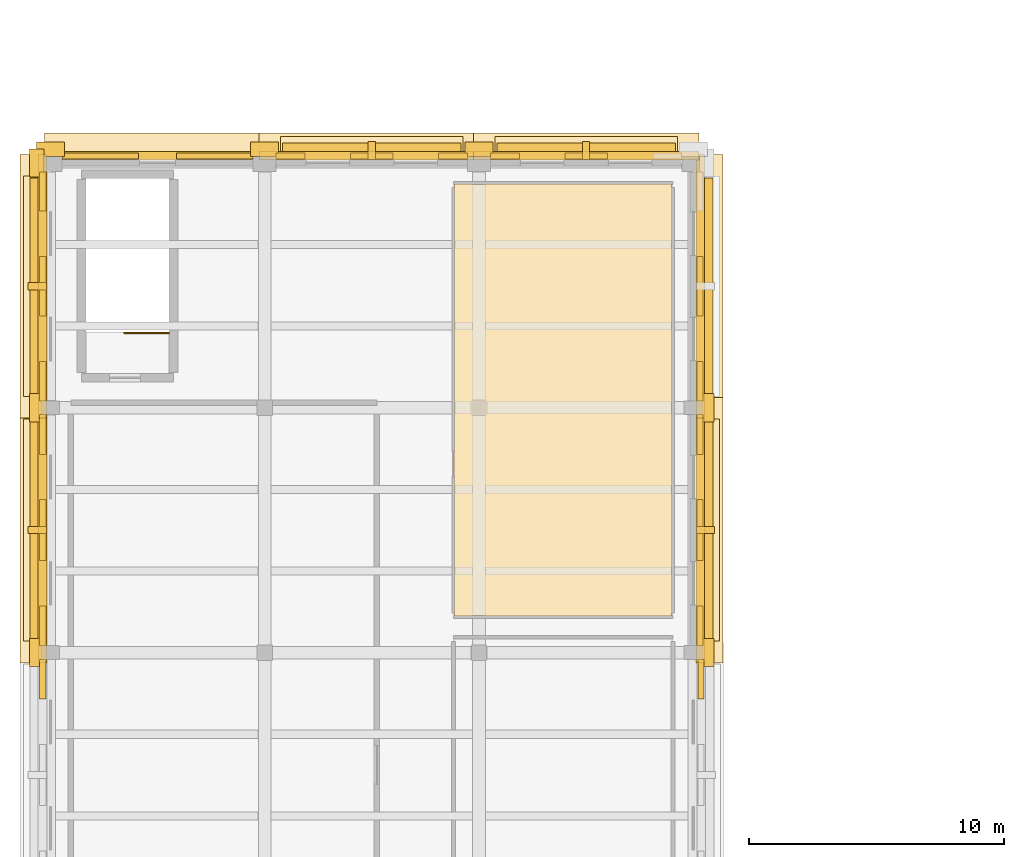
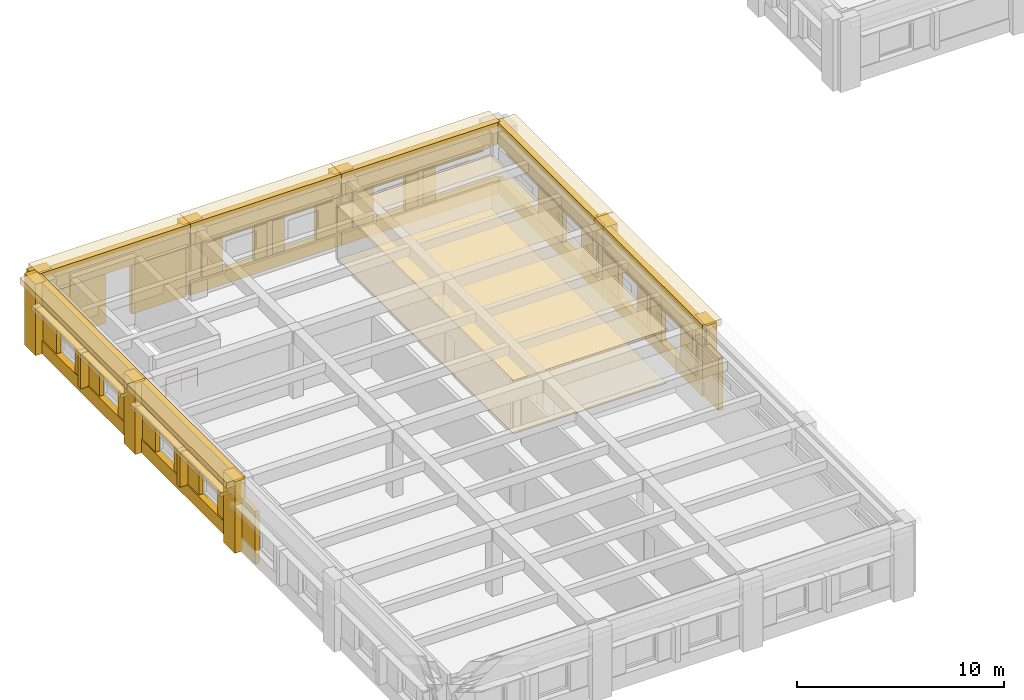
# One storey, part 13 of 17: 60 coverings, 6 shading devices, 1 railing.
"""IFC4 building model written with IfcOpenShell, lengths in metres."""

from ifc_helpers import new_model, si_unit, direction, frame, origin, origin_2d, place, context, subcontext, project, spatial, polyline, rectangle, circle, outline, extrude, material, layer, layer_set, type_object, element, save


model = new_model("IFC4")

# Units and contexts
model_context = context("Model", 3, precision=1e-05, world=origin(), true_north=direction((0.0, 1.0)))
body_context = subcontext(model_context, "Body", "Model", "MODEL_VIEW")
ifc_project = project(units=[si_unit("LENGTHUNIT", "METRE"), si_unit("AREAUNIT", "SQUARE_METRE"), si_unit("VOLUMEUNIT", "CUBIC_METRE"), si_unit("PLANEANGLEUNIT", "RADIAN"), si_unit("MASSUNIT", "GRAM", prefix="KILO")], contexts=[model_context])

# Site, building, storey
site_placement = place(None, origin())
site = spatial("IfcSite", under=ifc_project, at=site_placement, CompositionType="ELEMENT")
building_placement = place(site_placement, origin())
building = spatial("IfcBuilding", under=site, at=building_placement, Name="Bempovik Park Faculty of Sciences", CompositionType="ELEMENT")
storey_placement = place(building_placement, frame((0.0, 0.0, 22.5)))
storey = spatial("IfcBuildingStorey", under=building, at=storey_placement, Name="L05", CompositionType="ELEMENT", Elevation=22.5)

# Coverings
ifc_material_1 = material(Name="Acoustic mineral ceiling tile")
ifc_layer_1 = layer(ifc_material_1, 0.0400390625)
ifc_layer_set_1 = layer_set([ifc_layer_1], Name="Acoustic mineral ceiling tile")
covering_type_1 = type_object("IfcCoveringType", Name="CE-01 Acoustic Ceiling 40mm", PredefinedType="CEILING", material=ifc_layer_set_1)
covering_1_placement = place(storey_placement, frame((0.0, 0.0, 3.110107421875)))
element("IfcCovering", 1, at=covering_1_placement, inside=storey, type_object=covering_type_1, Name="L05 West Wing Principal Investigator Offices Acoustic Ceiling", PredefinedType="CEILING", context=body_context, shape_type="SweptSolid", body=[
    extrude(outline(polyline([(31.429931640625, 69.22998046875), (39.969970703125, 69.22998046875), (39.969970703125, 86.169921875), (31.429931640625, 86.169921875), (31.429931640625, 69.22998046875)])), origin(), (0.0, 0.0, 1.0), 0.039794921875),
])
ifc_material_2 = material(Name="Precast concrete C40/50", Category="concrete")
ifc_layer_2 = layer(ifc_material_2, 0.179931640625)
ifc_layer_set_2 = layer_set([ifc_layer_2], Name="Precast concrete C40/50")
covering_type_2 = type_object("IfcCoveringType", Name="CL-02 Classical Cornice Band 180mm", PredefinedType="CLADDING", material=ifc_layer_set_2)
covering_2_placement = place(storey_placement, frame((14.93505859375, 72.60009765625, 3.83984375), z_axis=(0.0, 0.0, 1.0), x_axis=(1.0, 0.0, 0.0)))
element("IfcCovering", 2, at=covering_2_placement, inside=storey, type_object=covering_type_2, Name="L05 Classical Projecting Dentil Cornice EW-L05-9939", PredefinedType="CLADDING", context=body_context, shape_type="SweptSolid", body=[
    extrude(rectangle(XDim=1.050048828125, YDim=10.406005859375, at=origin_2d()), origin(), (0.0, 0.0, 1.0), 0.360107421875),
])
covering_3_placement = place(storey_placement, frame((15.0, 72.60009765625, 2.81005859375), z_axis=(0.0, 0.0, 1.0), x_axis=(1.0, 0.0, 0.0)))
element("IfcCovering", 3, at=covering_3_placement, inside=storey, type_object=covering_type_2, Name="L05 Classical Stone Solar Window Hood EW-L05-9939", PredefinedType="CLADDING", context=body_context, shape_type="SweptSolid", body=[
    extrude(rectangle(XDim=0.919921875, YDim=8.7060546875, at=origin_2d()), origin(), (0.0, 0.0, 1.0), 0.219970703125),
])
covering_4_placement = place(storey_placement, frame((14.93505859375, 82.159912109375, 3.83984375), z_axis=(0.0, 0.0, 1.0), x_axis=(1.0, 0.0, 0.0)))
element("IfcCovering", 4, at=covering_4_placement, inside=storey, type_object=covering_type_2, Name="L05 Classical Projecting Dentil Cornice EW-L05-9952", PredefinedType="CLADDING", context=body_context, shape_type="SweptSolid", body=[
    extrude(rectangle(XDim=1.050048828125, YDim=10.325927734375, at=origin_2d()), origin(), (0.0, 0.0, 1.0), 0.360107421875),
])
covering_5_placement = place(storey_placement, frame((15.0, 82.159912109375, 2.81005859375), z_axis=(0.0, 0.0, 1.0), x_axis=(1.0, 0.0, 0.0)))
element("IfcCovering", 5, at=covering_5_placement, inside=storey, type_object=covering_type_2, Name="L05 Classical Stone Solar Window Hood EW-L05-9952", PredefinedType="CLADDING", context=body_context, shape_type="SweptSolid", body=[
    extrude(rectangle(XDim=0.919921875, YDim=8.6259765625, at=origin_2d()), origin(), (0.0, 0.0, 1.0), 0.219970703125),
])
for number, where, z_axis, x_axis, name in (
    (6, (19.800048828125, 87.635009765625, 3.83984375), (0.0, 0.0, 1.0), (1.0, 0.0, 0.0), "L05 Classical Projecting Dentil Cornice EW-L05-9965"),
    (7, (28.199951171875, 87.635009765625, 3.83984375), (0.0, 0.0, 1.0), (1.0, 0.0, 0.0), "L05 Classical Projecting Dentil Cornice EW-L05-9973"),
):
    element("IfcCovering", number, at=place(storey_placement, frame(where, z_axis=z_axis, x_axis=x_axis)), inside=storey, type_object=covering_type_2, Name=name, PredefinedType="CLADDING", context=body_context, shape_type="SweptSolid", body=[
        extrude(rectangle(XDim=8.845947265625, YDim=1.050048828125, at=origin_2d()), origin(), (0.0, 0.0, 1.0), 0.360107421875),
    ])
covering_6_placement = place(storey_placement, frame((28.199951171875, 87.570068359375, 2.81005859375), z_axis=(0.0, 0.0, 1.0), x_axis=(1.0, 0.0, 0.0)))
element("IfcCovering", 8, at=covering_6_placement, inside=storey, type_object=covering_type_2, Name="L05 Classical Stone Solar Window Hood EW-L05-9973", PredefinedType="CLADDING", context=body_context, shape_type="SweptSolid", body=[
    extrude(rectangle(XDim=7.14599609375, YDim=0.919921875, at=origin_2d()), origin(), (0.0, 0.0, 1.0), 0.219970703125),
])
covering_7_placement = place(storey_placement, frame((36.60009765625, 87.635009765625, 3.83984375), z_axis=(0.0, 0.0, 1.0), x_axis=(1.0, 0.0, 0.0)))
element("IfcCovering", 9, at=covering_7_placement, inside=storey, type_object=covering_type_2, Name="L05 Classical Projecting Dentil Cornice EW-L05-9986", PredefinedType="CLADDING", context=body_context, shape_type="SweptSolid", body=[
    extrude(rectangle(XDim=8.845947265625, YDim=1.050048828125, at=origin_2d()), origin(), (0.0, 0.0, 1.0), 0.360107421875),
])
covering_8_placement = place(storey_placement, frame((36.60009765625, 87.570068359375, 2.81005859375), z_axis=(0.0, 0.0, 1.0), x_axis=(1.0, 0.0, 0.0)))
element("IfcCovering", 10, at=covering_8_placement, inside=storey, type_object=covering_type_2, Name="L05 Classical Stone Solar Window Hood EW-L05-9986", PredefinedType="CLADDING", context=body_context, shape_type="SweptSolid", body=[
    extrude(rectangle(XDim=7.14599609375, YDim=0.919921875, at=origin_2d()), origin(), (0.0, 0.0, 1.0), 0.219970703125),
])
covering_9_placement = place(storey_placement, frame((41.43505859375, 72.60009765625, 3.83984375), z_axis=(0.0, 0.0, 1.0), x_axis=(1.0, 0.0, 0.0)))
element("IfcCovering", 11, at=covering_9_placement, inside=storey, type_object=covering_type_2, Name="L05 Classical Projecting Dentil Cornice EW-L05-10026", PredefinedType="CLADDING", context=body_context, shape_type="SweptSolid", body=[
    extrude(rectangle(XDim=1.050048828125, YDim=10.406005859375, at=origin_2d()), origin(), (0.0, 0.0, 1.0), 0.360107421875),
])
covering_10_placement = place(storey_placement, frame((41.3701171875, 72.60009765625, 2.81005859375), z_axis=(0.0, 0.0, 1.0), x_axis=(1.0, 0.0, 0.0)))
element("IfcCovering", 12, at=covering_10_placement, inside=storey, type_object=covering_type_2, Name="L05 Classical Stone Solar Window Hood EW-L05-10026", PredefinedType="CLADDING", context=body_context, shape_type="SweptSolid", body=[
    extrude(rectangle(XDim=0.919921875, YDim=8.7060546875, at=origin_2d()), origin(), (0.0, 0.0, 1.0), 0.219970703125),
])
covering_11_placement = place(storey_placement, frame((41.43505859375, 82.159912109375, 3.83984375), z_axis=(0.0, 0.0, 1.0), x_axis=(1.0, 0.0, 0.0)))
element("IfcCovering", 13, at=covering_11_placement, inside=storey, type_object=covering_type_2, Name="L05 Classical Projecting Dentil Cornice EW-L05-10039", PredefinedType="CLADDING", context=body_context, shape_type="SweptSolid", body=[
    extrude(rectangle(XDim=1.050048828125, YDim=10.325927734375, at=origin_2d()), origin(), (0.0, 0.0, 1.0), 0.360107421875),
])
ifc_material_3 = material(Name="White reconstituted limestone precast C40/50", Category="masonry")
ifc_layer_3 = layer(ifc_material_3, 0.239990234375)
ifc_layer_set_3 = layer_set([ifc_layer_3], Name="White reconstituted limestone precast C40/50")
covering_type_3 = type_object("IfcCoveringType", Name="CL-03 Classical Fluted Limestone Pilaster 240mm", PredefinedType="CLADDING", material=ifc_layer_set_3)
covering_12_placement = place(storey_placement, frame((15.070068359375, 67.800048828125, 0.0), z_axis=(0.0, 0.0, 1.0), x_axis=(1.0, 0.0, 0.0)))
element("IfcCovering", 14, at=covering_12_placement, inside=storey, type_object=covering_type_3, Name="L05 Classical Fluted Stone Pilaster PIL-BA-L05-151-678", PredefinedType="CLADDING", context=body_context, shape_type="SweptSolid", body=[
    extrude(rectangle(XDim=0.580078125, YDim=1.10009765625, at=origin_2d()), origin(), (0.0, 0.0, 1.0), 4.199951171875),
])
covering_13_placement = place(storey_placement, frame((15.300048828125, 66.75048828125, 0.0), z_axis=(0.0, 0.0, 1.0), x_axis=(1.0, 0.0, 0.0)))
element("IfcCovering", 15, at=covering_13_placement, inside=storey, type_object=covering_type_3, Name="L05 White Limestone Wall Cheek EW-L05-9926-4", PredefinedType="CLADDING", context=body_context, shape_type="SweptSolid", body=[
    extrude(rectangle(XDim=0.239990234375, YDim=1.55517578125, at=origin_2d()), origin(), (0.0, 0.0, 1.0), 3.080078125),
])
covering_14_placement = place(storey_placement, frame((15.2900390625, 72.60009765625, 2.919921875), z_axis=(0.0, 0.0, 1.0), x_axis=(1.0, 0.0, 0.0)))
element("IfcCovering", 16, at=covering_14_placement, inside=storey, type_object=covering_type_3, Name="L05 Classical Limestone Spandrel Entablature EW-L05-9939", PredefinedType="CLADDING", context=body_context, shape_type="SweptSolid", body=[
    extrude(rectangle(XDim=0.340087890625, YDim=10.406005859375, at=origin_2d()), origin(), (0.0, 0.0, 1.0), 1.280029296875),
])
covering_15_placement = place(storey_placement, frame((15.2900390625, 72.60009765625, 0.0), z_axis=(0.0, 0.0, 1.0), x_axis=(1.0, 0.0, 0.0)))
element("IfcCovering", 17, at=covering_15_placement, inside=storey, type_object=covering_type_3, Name="L05 Classical Limestone Sill Dado EW-L05-9939", PredefinedType="CLADDING", context=body_context, shape_type="SweptSolid", body=[
    extrude(rectangle(XDim=0.340087890625, YDim=10.406005859375, at=origin_2d()), origin(), (0.0, 0.0, 1.0), 0.780029296875),
])
covering_16_placement = place(storey_placement, frame((15.070068359375, 77.39990234375, 0.0), z_axis=(0.0, 0.0, 1.0), x_axis=(1.0, 0.0, 0.0)))
element("IfcCovering", 18, at=covering_16_placement, inside=storey, type_object=covering_type_3, Name="L05 Classical Fluted Stone Pilaster PIL-BA-L05-151-774", PredefinedType="CLADDING", context=body_context, shape_type="SweptSolid", body=[
    extrude(rectangle(XDim=0.580078125, YDim=1.10009765625, at=origin_2d()), origin(), (0.0, 0.0, 1.0), 4.199951171875),
])
covering_17_placement = place(storey_placement, frame((15.300048828125, 68.849609375, 0.0), z_axis=(0.0, 0.0, 1.0), x_axis=(1.0, 0.0, 0.0)))
element("IfcCovering", 19, at=covering_17_placement, inside=storey, type_object=covering_type_3, Name="L05 White Limestone Wall Cheek EW-L05-9939-0", PredefinedType="CLADDING", context=body_context, shape_type="SweptSolid", body=[
    extrude(rectangle(XDim=0.239990234375, YDim=1.55517578125, at=origin_2d()), origin(), (0.0, 0.0, 1.0), 3.080078125),
])
covering_18_placement = place(storey_placement, frame((15.300048828125, 72.60009765625, 0.0), z_axis=(0.0, 0.0, 1.0), x_axis=(1.0, 0.0, 0.0)))
element("IfcCovering", 20, at=covering_18_placement, inside=storey, type_object=covering_type_3, Name="L05 White Limestone Wall Cheek EW-L05-9939-2", PredefinedType="CLADDING", context=body_context, shape_type="SweptSolid", body=[
    extrude(rectangle(XDim=0.239990234375, YDim=2.3857421875, at=origin_2d()), origin(), (0.0, 0.0, 1.0), 3.080078125),
])
covering_19_placement = place(storey_placement, frame((15.300048828125, 76.350341796875, 0.0), z_axis=(0.0, 0.0, 1.0), x_axis=(1.0, 0.0, 0.0)))
element("IfcCovering", 21, at=covering_19_placement, inside=storey, type_object=covering_type_3, Name="L05 White Limestone Wall Cheek EW-L05-9939-4", PredefinedType="CLADDING", context=body_context, shape_type="SweptSolid", body=[
    extrude(rectangle(XDim=0.239990234375, YDim=1.55517578125, at=origin_2d()), origin(), (0.0, 0.0, 1.0), 3.080078125),
])
covering_20_placement = place(storey_placement, frame((15.090087890625, 72.60009765625, 0.75), z_axis=(0.0, 0.0, 1.0), x_axis=(1.0, 0.0, 0.0)))
element("IfcCovering", 22, at=covering_20_placement, inside=storey, type_object=covering_type_3, Name="L05 Classical Vertical Stone Shading Fin EW-L05-9939", PredefinedType="CLADDING", context=body_context, shape_type="SweptSolid", body=[
    extrude(rectangle(XDim=0.719970703125, YDim=0.280029296875, at=origin_2d()), origin(), (0.0, 0.0, 1.0), 2.10009765625),
])
covering_21_placement = place(storey_placement, frame((15.2900390625, 82.159912109375, 2.919921875), z_axis=(0.0, 0.0, 1.0), x_axis=(1.0, 0.0, 0.0)))
element("IfcCovering", 23, at=covering_21_placement, inside=storey, type_object=covering_type_3, Name="L05 Classical Limestone Spandrel Entablature EW-L05-9952", PredefinedType="CLADDING", context=body_context, shape_type="SweptSolid", body=[
    extrude(rectangle(XDim=0.340087890625, YDim=10.325927734375, at=origin_2d()), origin(), (0.0, 0.0, 1.0), 1.280029296875),
])
covering_22_placement = place(storey_placement, frame((15.2900390625, 82.159912109375, 0.0), z_axis=(0.0, 0.0, 1.0), x_axis=(1.0, 0.0, 0.0)))
element("IfcCovering", 24, at=covering_22_placement, inside=storey, type_object=covering_type_3, Name="L05 Classical Limestone Sill Dado EW-L05-9952", PredefinedType="CLADDING", context=body_context, shape_type="SweptSolid", body=[
    extrude(rectangle(XDim=0.340087890625, YDim=10.325927734375, at=origin_2d()), origin(), (0.0, 0.0, 1.0), 0.780029296875),
])
covering_23_placement = place(storey_placement, frame((15.070068359375, 87.0, 0.0), z_axis=(0.0, 0.0, 1.0), x_axis=(1.0, 0.0, 0.0)))
element("IfcCovering", 25, at=covering_23_placement, inside=storey, type_object=covering_type_3, Name="L05 Classical Fluted Stone Pilaster PIL-BA-L05-151-870", PredefinedType="CLADDING", context=body_context, shape_type="SweptSolid", body=[
    extrude(rectangle(XDim=0.580078125, YDim=1.10009765625, at=origin_2d()), origin(), (0.0, 0.0, 1.0), 4.199951171875),
])
covering_24_placement = place(storey_placement, frame((15.300048828125, 78.438720703125, 0.0), z_axis=(0.0, 0.0, 1.0), x_axis=(1.0, 0.0, 0.0)))
element("IfcCovering", 26, at=covering_24_placement, inside=storey, type_object=covering_type_3, Name="L05 White Limestone Wall Cheek EW-L05-9952-0", PredefinedType="CLADDING", context=body_context, shape_type="SweptSolid", body=[
    extrude(rectangle(XDim=0.239990234375, YDim=1.533447265625, at=origin_2d()), origin(), (0.0, 0.0, 1.0), 3.080078125),
])
covering_25_placement = place(storey_placement, frame((15.300048828125, 82.159912109375, 0.0), z_axis=(0.0, 0.0, 1.0), x_axis=(1.0, 0.0, 0.0)))
element("IfcCovering", 27, at=covering_25_placement, inside=storey, type_object=covering_type_3, Name="L05 White Limestone Wall Cheek EW-L05-9952-2", PredefinedType="CLADDING", context=body_context, shape_type="SweptSolid", body=[
    extrude(rectangle(XDim=0.239990234375, YDim=2.34912109375, at=origin_2d()), origin(), (0.0, 0.0, 1.0), 3.080078125),
])
covering_26_placement = place(storey_placement, frame((15.300048828125, 85.881103515625, 0.0), z_axis=(0.0, 0.0, 1.0), x_axis=(1.0, 0.0, 0.0)))
element("IfcCovering", 28, at=covering_26_placement, inside=storey, type_object=covering_type_3, Name="L05 White Limestone Wall Cheek EW-L05-9952-4", PredefinedType="CLADDING", context=body_context, shape_type="SweptSolid", body=[
    extrude(rectangle(XDim=0.239990234375, YDim=1.533447265625, at=origin_2d()), origin(), (0.0, 0.0, 1.0), 3.080078125),
])
covering_27_placement = place(storey_placement, frame((15.090087890625, 82.159912109375, 0.75), z_axis=(0.0, 0.0, 1.0), x_axis=(1.0, 0.0, 0.0)))
element("IfcCovering", 29, at=covering_27_placement, inside=storey, type_object=covering_type_3, Name="L05 Classical Vertical Stone Shading Fin EW-L05-9952", PredefinedType="CLADDING", context=body_context, shape_type="SweptSolid", body=[
    extrude(rectangle(XDim=0.719970703125, YDim=0.280029296875, at=origin_2d()), origin(), (0.0, 0.0, 1.0), 2.10009765625),
])
covering_28_placement = place(storey_placement, frame((19.800048828125, 87.280029296875, 2.919921875), z_axis=(0.0, 0.0, 1.0), x_axis=(1.0, 0.0, 0.0)))
element("IfcCovering", 30, at=covering_28_placement, inside=storey, type_object=covering_type_3, Name="L05 Classical Limestone Spandrel Entablature EW-L05-9965", PredefinedType="CLADDING", context=body_context, shape_type="SweptSolid", body=[
    extrude(rectangle(XDim=8.845947265625, YDim=0.340087890625, at=origin_2d()), origin(), (0.0, 0.0, 1.0), 1.280029296875),
])
for number, where, z_axis, x_axis, name in (
    (31, (15.60009765625, 87.530029296875, 0.0), (0.0, 0.0, 1.0), (1.0, 0.0, 0.0), "L05 Classical Fluted Stone Pilaster PIL-BA-L05-156-875"),
    (32, (24.0, 87.530029296875, 0.0), (0.0, 0.0, 1.0), (1.0, 0.0, 0.0), "L05 Classical Fluted Stone Pilaster PIL-BA-L05-240-875"),
):
    element("IfcCovering", number, at=place(storey_placement, frame(where, z_axis=z_axis, x_axis=x_axis)), inside=storey, type_object=covering_type_3, Name=name, PredefinedType="CLADDING", context=body_context, shape_type="SweptSolid", body=[
        extrude(rectangle(XDim=1.10009765625, YDim=0.580078125, at=origin_2d()), origin(), (0.0, 0.0, 1.0), 4.199951171875),
    ])
for number, where, z_axis, x_axis, name in (
    (33, (17.555908203125, 87.27001953125, 0.0), (0.0, 0.0, 1.0), (1.0, 0.0, 0.0), "L05 Stairwell White Limestone Cheek EW-L05-9965-1"),
    (34, (22.0439453125, 87.27001953125, 0.0), (0.0, 0.0, 1.0), (1.0, 0.0, 0.0), "L05 Stairwell White Limestone Cheek EW-L05-9965-2"),
):
    element("IfcCovering", number, at=place(storey_placement, frame(where, z_axis=z_axis, x_axis=x_axis)), inside=storey, type_object=covering_type_3, Name=name, PredefinedType="CLADDING", context=body_context, shape_type="SweptSolid", body=[
        extrude(rectangle(XDim=3.008056640625, YDim=0.239990234375, at=origin_2d()), origin(), (0.0, 0.0, 1.0), 3.080078125),
    ])
covering_29_placement = place(storey_placement, frame((28.199951171875, 87.280029296875, 2.919921875), z_axis=(0.0, 0.0, 1.0), x_axis=(1.0, 0.0, 0.0)))
element("IfcCovering", 35, at=covering_29_placement, inside=storey, type_object=covering_type_3, Name="L05 Classical Limestone Spandrel Entablature EW-L05-9973", PredefinedType="CLADDING", context=body_context, shape_type="SweptSolid", body=[
    extrude(rectangle(XDim=8.845947265625, YDim=0.340087890625, at=origin_2d()), origin(), (0.0, 0.0, 1.0), 1.280029296875),
])
covering_30_placement = place(storey_placement, frame((28.199951171875, 87.280029296875, 0.0), z_axis=(0.0, 0.0, 1.0), x_axis=(1.0, 0.0, 0.0)))
element("IfcCovering", 36, at=covering_30_placement, inside=storey, type_object=covering_type_3, Name="L05 Classical Limestone Sill Dado EW-L05-9973", PredefinedType="CLADDING", context=body_context, shape_type="SweptSolid", body=[
    extrude(rectangle(XDim=8.845947265625, YDim=0.340087890625, at=origin_2d()), origin(), (0.0, 0.0, 1.0), 0.780029296875),
])
covering_31_placement = place(storey_placement, frame((32.39990234375, 87.530029296875, 0.0), z_axis=(0.0, 0.0, 1.0), x_axis=(1.0, 0.0, 0.0)))
element("IfcCovering", 37, at=covering_31_placement, inside=storey, type_object=covering_type_3, Name="L05 Classical Fluted Stone Pilaster PIL-BA-L05-324-875", PredefinedType="CLADDING", context=body_context, shape_type="SweptSolid", body=[
    extrude(rectangle(XDim=1.10009765625, YDim=0.580078125, at=origin_2d()), origin(), (0.0, 0.0, 1.0), 4.199951171875),
])
covering_32_placement = place(storey_placement, frame((25.01904296875, 87.27001953125, 0.0), z_axis=(0.0, 0.0, 1.0), x_axis=(1.0, 0.0, 0.0)))
element("IfcCovering", 38, at=covering_32_placement, inside=storey, type_object=covering_type_3, Name="L05 White Limestone Wall Cheek EW-L05-9973-0", PredefinedType="CLADDING", context=body_context, shape_type="SweptSolid", body=[
    extrude(rectangle(XDim=1.1337890625, YDim=0.239990234375, at=origin_2d()), origin(), (0.0, 0.0, 1.0), 3.080078125),
])
covering_33_placement = place(storey_placement, frame((28.199951171875, 87.27001953125, 0.0), z_axis=(0.0, 0.0, 1.0), x_axis=(1.0, 0.0, 0.0)))
element("IfcCovering", 39, at=covering_33_placement, inside=storey, type_object=covering_type_3, Name="L05 White Limestone Wall Cheek EW-L05-9973-2", PredefinedType="CLADDING", context=body_context, shape_type="SweptSolid", body=[
    extrude(rectangle(XDim=1.668212890625, YDim=0.239990234375, at=origin_2d()), origin(), (0.0, 0.0, 1.0), 3.080078125),
])
covering_34_placement = place(storey_placement, frame((31.381103515625, 87.27001953125, 0.0), z_axis=(0.0, 0.0, 1.0), x_axis=(1.0, 0.0, 0.0)))
element("IfcCovering", 40, at=covering_34_placement, inside=storey, type_object=covering_type_3, Name="L05 White Limestone Wall Cheek EW-L05-9973-4", PredefinedType="CLADDING", context=body_context, shape_type="SweptSolid", body=[
    extrude(rectangle(XDim=1.1337890625, YDim=0.239990234375, at=origin_2d()), origin(), (0.0, 0.0, 1.0), 3.080078125),
])
covering_35_placement = place(storey_placement, frame((28.199951171875, 87.47998046875, 0.75), z_axis=(0.0, 0.0, 1.0), x_axis=(1.0, 0.0, 0.0)))
element("IfcCovering", 41, at=covering_35_placement, inside=storey, type_object=covering_type_3, Name="L05 Classical Vertical Stone Shading Fin EW-L05-9973", PredefinedType="CLADDING", context=body_context, shape_type="SweptSolid", body=[
    extrude(rectangle(XDim=0.280029296875, YDim=0.719970703125, at=origin_2d()), origin(), (0.0, 0.0, 1.0), 2.10009765625),
])
covering_36_placement = place(storey_placement, frame((36.60009765625, 87.280029296875, 2.919921875), z_axis=(0.0, 0.0, 1.0), x_axis=(1.0, 0.0, 0.0)))
element("IfcCovering", 42, at=covering_36_placement, inside=storey, type_object=covering_type_3, Name="L05 Classical Limestone Spandrel Entablature EW-L05-9986", PredefinedType="CLADDING", context=body_context, shape_type="SweptSolid", body=[
    extrude(rectangle(XDim=8.845947265625, YDim=0.340087890625, at=origin_2d()), origin(), (0.0, 0.0, 1.0), 1.280029296875),
])
covering_37_placement = place(storey_placement, frame((36.60009765625, 87.280029296875, 0.0), z_axis=(0.0, 0.0, 1.0), x_axis=(1.0, 0.0, 0.0)))
element("IfcCovering", 43, at=covering_37_placement, inside=storey, type_object=covering_type_3, Name="L05 Classical Limestone Sill Dado EW-L05-9986", PredefinedType="CLADDING", context=body_context, shape_type="SweptSolid", body=[
    extrude(rectangle(XDim=8.845947265625, YDim=0.340087890625, at=origin_2d()), origin(), (0.0, 0.0, 1.0), 0.780029296875),
])
covering_38_placement = place(storey_placement, frame((33.4189453125, 87.27001953125, 0.0), z_axis=(0.0, 0.0, 1.0), x_axis=(1.0, 0.0, 0.0)))
element("IfcCovering", 44, at=covering_38_placement, inside=storey, type_object=covering_type_3, Name="L05 White Limestone Wall Cheek EW-L05-9986-0", PredefinedType="CLADDING", context=body_context, shape_type="SweptSolid", body=[
    extrude(rectangle(XDim=1.1337890625, YDim=0.239990234375, at=origin_2d()), origin(), (0.0, 0.0, 1.0), 3.080078125),
])
covering_39_placement = place(storey_placement, frame((36.60009765625, 87.27001953125, 0.0), z_axis=(0.0, 0.0, 1.0), x_axis=(1.0, 0.0, 0.0)))
element("IfcCovering", 45, at=covering_39_placement, inside=storey, type_object=covering_type_3, Name="L05 White Limestone Wall Cheek EW-L05-9986-2", PredefinedType="CLADDING", context=body_context, shape_type="SweptSolid", body=[
    extrude(rectangle(XDim=1.668212890625, YDim=0.239990234375, at=origin_2d()), origin(), (0.0, 0.0, 1.0), 3.080078125),
])
covering_40_placement = place(storey_placement, frame((36.60009765625, 87.47998046875, 0.75), z_axis=(0.0, 0.0, 1.0), x_axis=(1.0, 0.0, 0.0)))
element("IfcCovering", 46, at=covering_40_placement, inside=storey, type_object=covering_type_3, Name="L05 Classical Vertical Stone Shading Fin EW-L05-9986", PredefinedType="CLADDING", context=body_context, shape_type="SweptSolid", body=[
    extrude(rectangle(XDim=0.280029296875, YDim=0.719970703125, at=origin_2d()), origin(), (0.0, 0.0, 1.0), 2.10009765625),
])
covering_41_placement = place(storey_placement, frame((41.330078125, 67.800048828125, 0.0), z_axis=(0.0, 0.0, 1.0), x_axis=(1.0, 0.0, 0.0)))
element("IfcCovering", 47, at=covering_41_placement, inside=storey, type_object=covering_type_3, Name="L05 Classical Fluted Stone Pilaster PIL-BA-L05-413-678", PredefinedType="CLADDING", context=body_context, shape_type="SweptSolid", body=[
    extrude(rectangle(XDim=0.580078125, YDim=1.10009765625, at=origin_2d()), origin(), (0.0, 0.0, 1.0), 4.199951171875),
])
covering_42_placement = place(storey_placement, frame((41.10009765625, 66.75048828125, 0.0), z_axis=(0.0, 0.0, 1.0), x_axis=(1.0, 0.0, 0.0)))
element("IfcCovering", 48, at=covering_42_placement, inside=storey, type_object=covering_type_3, Name="L05 White Limestone Wall Cheek EW-L05-10013-4", PredefinedType="CLADDING", context=body_context, shape_type="SweptSolid", body=[
    extrude(rectangle(XDim=0.239990234375, YDim=1.55517578125, at=origin_2d()), origin(), (0.0, 0.0, 1.0), 3.080078125),
])
covering_43_placement = place(storey_placement, frame((41.080078125, 72.60009765625, 2.919921875), z_axis=(0.0, 0.0, 1.0), x_axis=(1.0, 0.0, 0.0)))
element("IfcCovering", 49, at=covering_43_placement, inside=storey, type_object=covering_type_3, Name="L05 Classical Limestone Spandrel Entablature EW-L05-10026", PredefinedType="CLADDING", context=body_context, shape_type="SweptSolid", body=[
    extrude(rectangle(XDim=0.340087890625, YDim=10.406005859375, at=origin_2d()), origin(), (0.0, 0.0, 1.0), 1.280029296875),
])
covering_44_placement = place(storey_placement, frame((41.080078125, 72.60009765625, 0.0), z_axis=(0.0, 0.0, 1.0), x_axis=(1.0, 0.0, 0.0)))
element("IfcCovering", 50, at=covering_44_placement, inside=storey, type_object=covering_type_3, Name="L05 Classical Limestone Sill Dado EW-L05-10026", PredefinedType="CLADDING", context=body_context, shape_type="SweptSolid", body=[
    extrude(rectangle(XDim=0.340087890625, YDim=10.406005859375, at=origin_2d()), origin(), (0.0, 0.0, 1.0), 0.780029296875),
])
covering_45_placement = place(storey_placement, frame((41.330078125, 77.39990234375, 0.0), z_axis=(0.0, 0.0, 1.0), x_axis=(1.0, 0.0, 0.0)))
element("IfcCovering", 51, at=covering_45_placement, inside=storey, type_object=covering_type_3, Name="L05 Classical Fluted Stone Pilaster PIL-BA-L05-413-774", PredefinedType="CLADDING", context=body_context, shape_type="SweptSolid", body=[
    extrude(rectangle(XDim=0.580078125, YDim=1.10009765625, at=origin_2d()), origin(), (0.0, 0.0, 1.0), 4.199951171875),
])
covering_46_placement = place(storey_placement, frame((41.070068359375, 68.849609375, 0.0), z_axis=(0.0, 0.0, 1.0), x_axis=(1.0, 0.0, 0.0)))
element("IfcCovering", 52, at=covering_46_placement, inside=storey, type_object=covering_type_3, Name="L05 White Limestone Wall Cheek EW-L05-10026-0", PredefinedType="CLADDING", context=body_context, shape_type="SweptSolid", body=[
    extrude(rectangle(XDim=0.239990234375, YDim=1.55517578125, at=origin_2d()), origin(), (0.0, 0.0, 1.0), 3.080078125),
])
covering_47_placement = place(storey_placement, frame((41.070068359375, 72.60009765625, 0.0), z_axis=(0.0, 0.0, 1.0), x_axis=(1.0, 0.0, 0.0)))
element("IfcCovering", 53, at=covering_47_placement, inside=storey, type_object=covering_type_3, Name="L05 White Limestone Wall Cheek EW-L05-10026-2", PredefinedType="CLADDING", context=body_context, shape_type="SweptSolid", body=[
    extrude(rectangle(XDim=0.239990234375, YDim=2.3857421875, at=origin_2d()), origin(), (0.0, 0.0, 1.0), 3.080078125),
])
covering_48_placement = place(storey_placement, frame((41.070068359375, 76.350341796875, 0.0), z_axis=(0.0, 0.0, 1.0), x_axis=(1.0, 0.0, 0.0)))
element("IfcCovering", 54, at=covering_48_placement, inside=storey, type_object=covering_type_3, Name="L05 White Limestone Wall Cheek EW-L05-10026-4", PredefinedType="CLADDING", context=body_context, shape_type="SweptSolid", body=[
    extrude(rectangle(XDim=0.239990234375, YDim=1.55517578125, at=origin_2d()), origin(), (0.0, 0.0, 1.0), 3.080078125),
])
covering_49_placement = place(storey_placement, frame((41.280029296875, 72.60009765625, 0.75), z_axis=(0.0, 0.0, 1.0), x_axis=(1.0, 0.0, 0.0)))
element("IfcCovering", 55, at=covering_49_placement, inside=storey, type_object=covering_type_3, Name="L05 Classical Vertical Stone Shading Fin EW-L05-10026", PredefinedType="CLADDING", context=body_context, shape_type="SweptSolid", body=[
    extrude(rectangle(XDim=0.719970703125, YDim=0.280029296875, at=origin_2d()), origin(), (0.0, 0.0, 1.0), 2.10009765625),
])
covering_50_placement = place(storey_placement, frame((41.080078125, 82.159912109375, 2.919921875), z_axis=(0.0, 0.0, 1.0), x_axis=(1.0, 0.0, 0.0)))
element("IfcCovering", 56, at=covering_50_placement, inside=storey, type_object=covering_type_3, Name="L05 Classical Limestone Spandrel Entablature EW-L05-10039", PredefinedType="CLADDING", context=body_context, shape_type="SweptSolid", body=[
    extrude(rectangle(XDim=0.340087890625, YDim=10.325927734375, at=origin_2d()), origin(), (0.0, 0.0, 1.0), 1.280029296875),
])
covering_51_placement = place(storey_placement, frame((41.080078125, 82.159912109375, 0.0), z_axis=(0.0, 0.0, 1.0), x_axis=(1.0, 0.0, 0.0)))
element("IfcCovering", 57, at=covering_51_placement, inside=storey, type_object=covering_type_3, Name="L05 Classical Limestone Sill Dado EW-L05-10039", PredefinedType="CLADDING", context=body_context, shape_type="SweptSolid", body=[
    extrude(rectangle(XDim=0.340087890625, YDim=10.325927734375, at=origin_2d()), origin(), (0.0, 0.0, 1.0), 0.780029296875),
])
covering_52_placement = place(storey_placement, frame((41.070068359375, 78.438720703125, 0.0), z_axis=(0.0, 0.0, 1.0), x_axis=(1.0, 0.0, 0.0)))
element("IfcCovering", 58, at=covering_52_placement, inside=storey, type_object=covering_type_3, Name="L05 White Limestone Wall Cheek EW-L05-10039-0", PredefinedType="CLADDING", context=body_context, shape_type="SweptSolid", body=[
    extrude(rectangle(XDim=0.239990234375, YDim=1.533447265625, at=origin_2d()), origin(), (0.0, 0.0, 1.0), 3.080078125),
])
covering_53_placement = place(storey_placement, frame((41.070068359375, 82.159912109375, 0.0), z_axis=(0.0, 0.0, 1.0), x_axis=(1.0, 0.0, 0.0)))
element("IfcCovering", 59, at=covering_53_placement, inside=storey, type_object=covering_type_3, Name="L05 White Limestone Wall Cheek EW-L05-10039-2", PredefinedType="CLADDING", context=body_context, shape_type="SweptSolid", body=[
    extrude(rectangle(XDim=0.239990234375, YDim=2.34912109375, at=origin_2d()), origin(), (0.0, 0.0, 1.0), 3.080078125),
])
ifc_material_4 = material(Name="Polished mineral terrazzo flooring")
ifc_layer_4 = layer(ifc_material_4, 0.030029296875)
ifc_layer_set_4 = layer_set([ifc_layer_4], Name="Polished mineral terrazzo flooring")
covering_type_4 = type_object("IfcCoveringType", Name="FL-01 Terrazzo Flooring 30mm", PredefinedType="FLOORING", material=ifc_layer_set_4)
covering_54_placement = place(storey_placement, origin())
element("IfcCovering", 60, at=covering_54_placement, inside=storey, type_object=covering_type_4, Name="L05 West Wing Principal Investigator Offices Terrazzo Flooring", PredefinedType="FLOORING", context=body_context, shape_type="SweptSolid", body=[
    extrude(outline(polyline([(31.429931640625, 69.22998046875), (39.969970703125, 69.22998046875), (39.969970703125, 86.169921875), (31.429931640625, 86.169921875), (31.429931640625, 69.22998046875)])), origin(), (0.0, 0.0, 1.0), 0.030029296875),
])

# Railing
ifc_material_5 = material(Name="Anodised architectural bronze")
railing_type = type_object("IfcRailingType", Name="GR-01 Guardrail 1120mm", PredefinedType="GUARDRAIL", material=ifc_material_5)
railing_placement = place(storey_placement, frame((20.25, 80.324951171875, 0.0)))
element("IfcRailing", 61, at=railing_placement, inside=storey, type_object=railing_type, Name="L05 ST-3 Top Well Guard 1", PredefinedType="GUARDRAIL", context=body_context, shape_type="SweptSolid", body=[
    extrude(circle(Radius=0.02392578125, at=origin_2d()), frame((0.0, 0.0, 1.09619140625), z_axis=(-1.0, 0.0, 0.0), x_axis=(0.0, -1.0, 0.0)), (0.0, 0.0, 1.0), 1.75),
    extrude(circle(Radius=0.02099609375, at=origin_2d()), origin(), (0.0, 0.0, 1.0), 1.072021484375),
    extrude(circle(Radius=0.02099609375, at=origin_2d()), frame((-0.875, 0.0, 0.0)), (0.0, 0.0, 1.0), 1.072021484375),
    extrude(circle(Radius=0.02099609375, at=origin_2d()), frame((-1.75, 0.0, 0.0)), (0.0, 0.0, 1.0), 1.072021484375),
])

# Shading devices
ifc_layer_5 = layer(ifc_material_5, 0.06005859375)
ifc_layer_set_5 = layer_set([ifc_layer_5], Name="Anodised architectural bronze")
shading_device_type = type_object("IfcShadingDeviceType", Name="SH-01 Bronze Brise-Soleil Fin", PredefinedType="USERDEFINED", material=ifc_layer_set_5)
shading_device_1_placement = place(storey_placement, frame((15.1201171875, 72.60009765625, 2.75), z_axis=(0.0, 0.0, 1.0), x_axis=(1.0, 0.0, 0.0)))
element("IfcShadingDevice", 62, at=shading_device_1_placement, inside=storey, type_object=shading_device_type, Name="L05 Equatorial Bronze Brise-Soleil EW-L05-9939", ObjectType="BRISE SOLEIL", PredefinedType="USERDEFINED", context=body_context, shape_type="SweptSolid", body=[
    extrude(rectangle(XDim=0.64990234375, YDim=8.555908203125, at=origin_2d()), origin(), (0.0, 0.0, 1.0), 0.06005859375),
])
shading_device_2_placement = place(storey_placement, frame((15.1201171875, 82.159912109375, 2.75), z_axis=(0.0, 0.0, 1.0), x_axis=(1.0, 0.0, 0.0)))
element("IfcShadingDevice", 63, at=shading_device_2_placement, inside=storey, type_object=shading_device_type, Name="L05 Equatorial Bronze Brise-Soleil EW-L05-9952", ObjectType="BRISE SOLEIL", PredefinedType="USERDEFINED", context=body_context, shape_type="SweptSolid", body=[
    extrude(rectangle(XDim=0.64990234375, YDim=8.47607421875, at=origin_2d()), origin(), (0.0, 0.0, 1.0), 0.06005859375),
])
for number, where, z_axis, x_axis, name in (
    (64, (28.199951171875, 87.449951171875, 2.75), (0.0, 0.0, 1.0), (1.0, 0.0, 0.0), "L05 Equatorial Bronze Brise-Soleil EW-L05-9973"),
    (65, (36.60009765625, 87.449951171875, 2.75), (0.0, 0.0, 1.0), (1.0, 0.0, 0.0), "L05 Equatorial Bronze Brise-Soleil EW-L05-9986"),
):
    element("IfcShadingDevice", number, at=place(storey_placement, frame(where, z_axis=z_axis, x_axis=x_axis)), inside=storey, type_object=shading_device_type, Name=name, ObjectType="BRISE SOLEIL", PredefinedType="USERDEFINED", context=body_context, shape_type="SweptSolid", body=[
        extrude(rectangle(XDim=6.99609375, YDim=0.64990234375, at=origin_2d()), origin(), (0.0, 0.0, 1.0), 0.06005859375),
    ])
shading_device_3_placement = place(storey_placement, frame((41.25, 72.60009765625, 2.75), z_axis=(0.0, 0.0, 1.0), x_axis=(1.0, 0.0, 0.0)))
element("IfcShadingDevice", 66, at=shading_device_3_placement, inside=storey, type_object=shading_device_type, Name="L05 Equatorial Bronze Brise-Soleil EW-L05-10026", ObjectType="BRISE SOLEIL", PredefinedType="USERDEFINED", context=body_context, shape_type="SweptSolid", body=[
    extrude(rectangle(XDim=0.64990234375, YDim=8.555908203125, at=origin_2d()), origin(), (0.0, 0.0, 1.0), 0.06005859375),
])
shading_device_4_placement = place(storey_placement, frame((41.25, 82.159912109375, 2.75), z_axis=(0.0, 0.0, 1.0), x_axis=(1.0, 0.0, 0.0)))
element("IfcShadingDevice", 67, at=shading_device_4_placement, inside=storey, type_object=shading_device_type, Name="L05 Equatorial Bronze Brise-Soleil EW-L05-10039", ObjectType="BRISE SOLEIL", PredefinedType="USERDEFINED", context=body_context, shape_type="SweptSolid", body=[
    extrude(rectangle(XDim=0.64990234375, YDim=8.47607421875, at=origin_2d()), origin(), (0.0, 0.0, 1.0), 0.06005859375),
])

save(model, "model.ifc")
